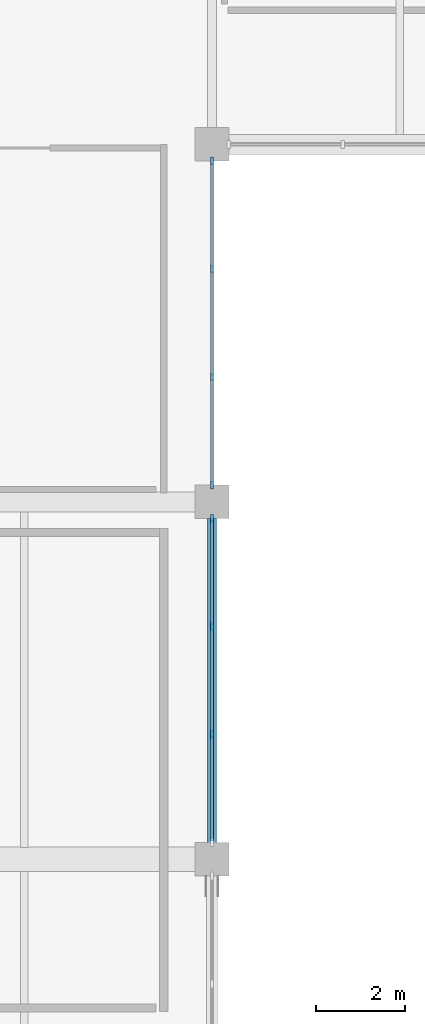
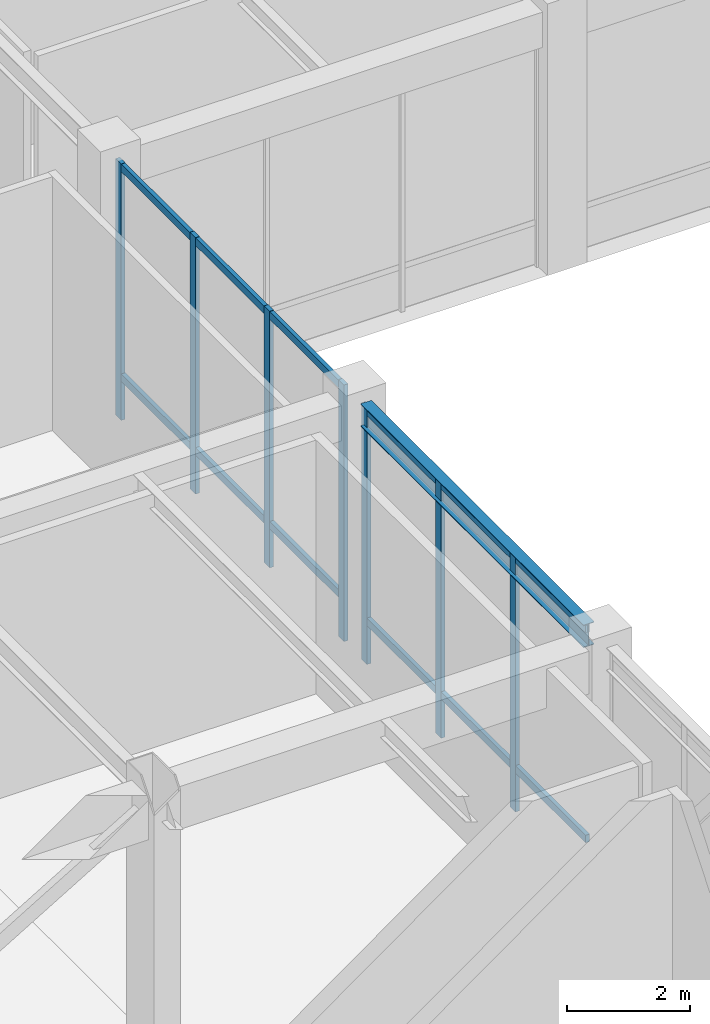
# One storey, part 28 of 79: 19 members, 1 beam, 2 elements without a shape of their own.
"""IFC4 building model written with IfcOpenShell, lengths in metres."""

from ifc_helpers import new_model, si_unit, direction, frame, origin, origin_2d, place, context, subcontext, project, spatial, rectangle, i_section, extrude, material, layer, layer_set, material_profile, profile_set, type_object, element, aggregate, save


model = new_model("IFC4")

# Units and contexts
model_context = context("Model", 3, precision=1e-05, world=origin(), true_north=direction((0.0, 1.0)))
body_context = subcontext(model_context, "Body", "Model", "MODEL_VIEW")
ifc_project = project(units=[si_unit("LENGTHUNIT", "METRE"), si_unit("AREAUNIT", "SQUARE_METRE"), si_unit("VOLUMEUNIT", "CUBIC_METRE"), si_unit("PLANEANGLEUNIT", "RADIAN"), si_unit("MASSUNIT", "GRAM", prefix="KILO")], contexts=[model_context])

# Site, building, storey
site_placement = place(None, origin())
site = spatial("IfcSite", under=ifc_project, at=site_placement, CompositionType="ELEMENT")
building_placement = place(site_placement, origin())
building = spatial("IfcBuilding", under=site, at=building_placement, Name="Naruveol Harbour Congress Hotel", CompositionType="ELEMENT")
storey_placement = place(building_placement, frame((0.0, 0.0, 6.0)))
storey = spatial("IfcBuildingStorey", under=building, at=storey_placement, Name="L01", CompositionType="ELEMENT", Elevation=6.0)

# Beam
ifc_material_1 = material(Name="Steel SN490", Category="steel")
ifc_material_profile_1 = material_profile(ifc_material_1, i_section(OverallWidth=0.199951171875, OverallDepth=0.449951171875, WebThickness=0.009033203125, FlangeThickness=0.013916015625, at=origin_2d()), Name="H-450x200x9x14")
ifc_profile_set_1 = profile_set([ifc_material_profile_1], Name="Steel SN490")
beam_type = type_object("IfcBeamType", Name="STEEL SPANDREL EDGE BEAM H450", PredefinedType="SPANDREL", material=ifc_profile_set_1)
beam_placement = place(storey_placement, frame((67.199951171875, 48.37109375, 4.925048828125), z_axis=(0.0, 1.0, 0.0), x_axis=(-1.0, 0.0, 0.0)))
element("IfcBeam", 1, at=beam_placement, inside=storey, type_object=beam_type, Name="Transverse girder L02 SPB2", PredefinedType="SPANDREL", context=body_context, shape_type="SweptSolid", body=[
    extrude(i_section(OverallWidth=0.199951171875, OverallDepth=0.449951171875, WebThickness=0.009033203125, FlangeThickness=0.013916015625, at=origin_2d()), origin(), (0.0, 0.0, 1.0), 7.2578125),
])

# Curtain wall, members
ifc_material_2 = material(Name="Low-E Curtain Wall System", Category="glass")
ifc_layer = layer(ifc_material_2, 0.179931640625)
ifc_layer_set = layer_set([ifc_layer], Name="Low-E Curtain Wall System")
curtain_wall_type = type_object("IfcCurtainWallType", Name="UNITISED CURTAIN WALL CW-CTW-36 7250X5100", PredefinedType="USERDEFINED", material=ifc_layer_set)
curtain_wall_1_placement = place(storey_placement, origin())
curtain_wall_1 = element("IfcCurtainWall", 2, at=curtain_wall_1_placement, inside=storey, type_object=curtain_wall_type, Name="Unitised curtain wall CW-CTW-36 L01", ObjectType="UNITISED GLAZING", PredefinedType="USERDEFINED")
ifc_material_3 = material(Name="Anodised Aluminium 6063-T6", Category="aluminium")
ifc_material_profile_2 = material_profile(ifc_material_3, rectangle(XDim=0.074951171875, YDim=0.179931640625, at=origin_2d()), Name="ALU-75x180")
ifc_profile_set_2 = profile_set([ifc_material_profile_2], Name="Anodised Aluminium 6063-T6")
member_type_1 = type_object("IfcMemberType", Name="THERMAL ALUMINIUM MULLION 75X180", PredefinedType="MULLION", material=ifc_profile_set_2)
member_1_placement = place(storey_placement, frame((67.199951171875, 50.791748046875, 0.0), z_axis=(0.0, 0.0, 1.0), x_axis=(1.0, 0.0, 0.0)))
member_1 = element("IfcMember", 3, at=member_1_placement, type_object=member_type_1, Name="Curtain wall mullion CW-L01-0092-M1", PredefinedType="MULLION", context=body_context, shape_type="SweptSolid", body=[
    extrude(rectangle(XDim=0.074951171875, YDim=0.179931640625, at=origin_2d()), origin(), (0.0, 0.0, 1.0), 5.10009765625),
])
member_2_placement = place(storey_placement, frame((67.199951171875, 53.208251953125, 0.0), z_axis=(0.0, 0.0, 1.0), x_axis=(1.0, 0.0, 0.0)))
member_2 = element("IfcMember", 4, at=member_2_placement, type_object=member_type_1, Name="Curtain wall mullion CW-L01-0092-M2", PredefinedType="MULLION", context=body_context, shape_type="SweptSolid", body=[
    extrude(rectangle(XDim=0.074951171875, YDim=0.179931640625, at=origin_2d()), origin(), (0.0, 0.0, 1.0), 5.10009765625),
])
member_3_placement = place(storey_placement, frame((67.199951171875, 55.625, 0.0), z_axis=(0.0, 0.0, 1.0), x_axis=(1.0, 0.0, 0.0)))
member_3 = element("IfcMember", 5, at=member_3_placement, type_object=member_type_1, Name="Curtain wall mullion CW-L01-0092-M3", PredefinedType="MULLION", context=body_context, shape_type="SweptSolid", body=[
    extrude(rectangle(XDim=0.074951171875, YDim=0.179931640625, at=origin_2d()), origin(), (0.0, 0.0, 1.0), 5.10009765625),
])

curtain_wall_2_placement = place(storey_placement, origin())
curtain_wall_2 = element("IfcCurtainWall", 6, at=curtain_wall_2_placement, inside=storey, type_object=curtain_wall_type, Name="Unitised curtain wall CW-CTW-36 L01", ObjectType="UNITISED GLAZING", PredefinedType="USERDEFINED")
member_4_placement = place(storey_placement, frame((67.199951171875, 56.375, 0.0), z_axis=(0.0, 0.0, 1.0), x_axis=(1.0, 0.0, 0.0)))
member_4 = element("IfcMember", 7, at=member_4_placement, type_object=member_type_1, Name="Curtain wall mullion CW-L01-0094-M0", PredefinedType="MULLION", context=body_context, shape_type="SweptSolid", body=[
    extrude(rectangle(XDim=0.074951171875, YDim=0.179931640625, at=origin_2d()), origin(), (0.0, 0.0, 1.0), 5.10009765625),
])
member_5_placement = place(storey_placement, frame((67.199951171875, 58.791748046875, 0.0), z_axis=(0.0, 0.0, 1.0), x_axis=(1.0, 0.0, 0.0)))
member_5 = element("IfcMember", 8, at=member_5_placement, type_object=member_type_1, Name="Curtain wall mullion CW-L01-0094-M1", PredefinedType="MULLION", context=body_context, shape_type="SweptSolid", body=[
    extrude(rectangle(XDim=0.074951171875, YDim=0.179931640625, at=origin_2d()), origin(), (0.0, 0.0, 1.0), 5.10009765625),
])
member_6_placement = place(storey_placement, frame((67.199951171875, 61.208251953125, 0.0), z_axis=(0.0, 0.0, 1.0), x_axis=(1.0, 0.0, 0.0)))
member_6 = element("IfcMember", 9, at=member_6_placement, type_object=member_type_1, Name="Curtain wall mullion CW-L01-0094-M2", PredefinedType="MULLION", context=body_context, shape_type="SweptSolid", body=[
    extrude(rectangle(XDim=0.074951171875, YDim=0.179931640625, at=origin_2d()), origin(), (0.0, 0.0, 1.0), 5.10009765625),
])
member_7_placement = place(storey_placement, frame((67.199951171875, 63.625, 0.0), z_axis=(0.0, 0.0, 1.0), x_axis=(1.0, 0.0, 0.0)))
member_7 = element("IfcMember", 10, at=member_7_placement, type_object=member_type_1, Name="Curtain wall mullion CW-L01-0094-M3", PredefinedType="MULLION", context=body_context, shape_type="SweptSolid", body=[
    extrude(rectangle(XDim=0.074951171875, YDim=0.179931640625, at=origin_2d()), origin(), (0.0, 0.0, 1.0), 5.10009765625),
])

# Member
ifc_material_4 = material(Name="Anodised Aluminium 6063-T6", Category="aluminium")
ifc_material_profile_3 = material_profile(ifc_material_4, rectangle(XDim=0.074951171875, YDim=0.14990234375, at=origin_2d()), Name="ALU-75x150")
ifc_profile_set_3 = profile_set([ifc_material_profile_3], Name="Anodised Aluminium 6063-T6")
member_type_2 = type_object("IfcMemberType", Name="THERMAL ALUMINIUM TRANSOM 75X150", PredefinedType="USERDEFINED", material=ifc_profile_set_3)
member_8_placement = place(storey_placement, frame((67.199951171875, 48.4150390625, 0.85009765625), z_axis=(0.0, 1.0, 0.0), x_axis=(-1.0, 0.0, 0.0)))
member_8 = element("IfcMember", 11, at=member_8_placement, type_object=member_type_2, Name="Curtain wall transom CW-L01-0092-T0.1", ObjectType="TRANSOM", PredefinedType="USERDEFINED", context=body_context, shape_type="SweptSolid", body=[
    extrude(rectangle(XDim=0.074951171875, YDim=0.14990234375, at=origin_2d()), origin(), (0.0, 0.0, 1.0), 2.336669921875),
])

member_9_placement = place(storey_placement, frame((67.199951171875, 48.4150390625, 5.02001953125), z_axis=(0.0, 1.0, 0.0), x_axis=(-1.0, 0.0, 0.0)))
member_9 = element("IfcMember", 12, at=member_9_placement, type_object=member_type_2, Name="Curtain wall transom CW-L01-0092-T0.2", ObjectType="TRANSOM", PredefinedType="USERDEFINED", context=body_context, shape_type="SweptSolid", body=[
    extrude(rectangle(XDim=0.074951171875, YDim=0.14990234375, at=origin_2d()), origin(), (0.0, 0.0, 1.0), 2.336669921875),
])

member_10_placement = place(storey_placement, frame((67.199951171875, 50.831787109375, 0.85009765625), z_axis=(0.0, 1.0, 0.0), x_axis=(-1.0, 0.0, 0.0)))
member_10 = element("IfcMember", 13, at=member_10_placement, type_object=member_type_2, Name="Curtain wall transom CW-L01-0092-T1.1", ObjectType="TRANSOM", PredefinedType="USERDEFINED", context=body_context, shape_type="SweptSolid", body=[
    extrude(rectangle(XDim=0.074951171875, YDim=0.14990234375, at=origin_2d()), origin(), (0.0, 0.0, 1.0), 2.33642578125),
])

member_11_placement = place(storey_placement, frame((67.199951171875, 50.831787109375, 5.02001953125), z_axis=(0.0, 1.0, 0.0), x_axis=(-1.0, 0.0, 0.0)))
member_11 = element("IfcMember", 14, at=member_11_placement, type_object=member_type_2, Name="Curtain wall transom CW-L01-0092-T1.2", ObjectType="TRANSOM", PredefinedType="USERDEFINED", context=body_context, shape_type="SweptSolid", body=[
    extrude(rectangle(XDim=0.074951171875, YDim=0.14990234375, at=origin_2d()), origin(), (0.0, 0.0, 1.0), 2.33642578125),
])

member_12_placement = place(storey_placement, frame((67.199951171875, 53.248291015625, 0.85009765625), z_axis=(0.0, 1.0, 0.0), x_axis=(-1.0, 0.0, 0.0)))
member_12 = element("IfcMember", 15, at=member_12_placement, type_object=member_type_2, Name="Curtain wall transom CW-L01-0092-T2.1", ObjectType="TRANSOM", PredefinedType="USERDEFINED", context=body_context, shape_type="SweptSolid", body=[
    extrude(rectangle(XDim=0.074951171875, YDim=0.14990234375, at=origin_2d()), origin(), (0.0, 0.0, 1.0), 2.336669921875),
])

member_13_placement = place(storey_placement, frame((67.199951171875, 53.248291015625, 5.02001953125), z_axis=(0.0, 1.0, 0.0), x_axis=(-1.0, 0.0, 0.0)))
member_13 = element("IfcMember", 16, at=member_13_placement, type_object=member_type_2, Name="Curtain wall transom CW-L01-0092-T2.2", ObjectType="TRANSOM", PredefinedType="USERDEFINED", context=body_context, shape_type="SweptSolid", body=[
    extrude(rectangle(XDim=0.074951171875, YDim=0.14990234375, at=origin_2d()), origin(), (0.0, 0.0, 1.0), 2.336669921875),
])

aggregate(curtain_wall_1, [member_1, member_2, member_3, member_8, member_9, member_10, member_11, member_12, member_13])

member_14_placement = place(storey_placement, frame((67.199951171875, 56.4150390625, 0.85009765625), z_axis=(0.0, 1.0, 0.0), x_axis=(-1.0, 0.0, 0.0)))
member_14 = element("IfcMember", 17, at=member_14_placement, type_object=member_type_2, Name="Curtain wall transom CW-L01-0094-T0.1", ObjectType="TRANSOM", PredefinedType="USERDEFINED", context=body_context, shape_type="SweptSolid", body=[
    extrude(rectangle(XDim=0.074951171875, YDim=0.14990234375, at=origin_2d()), origin(), (0.0, 0.0, 1.0), 2.336669921875),
])

member_15_placement = place(storey_placement, frame((67.199951171875, 56.4150390625, 5.02001953125), z_axis=(0.0, 1.0, 0.0), x_axis=(-1.0, 0.0, 0.0)))
member_15 = element("IfcMember", 18, at=member_15_placement, type_object=member_type_2, Name="Curtain wall transom CW-L01-0094-T0.2", ObjectType="TRANSOM", PredefinedType="USERDEFINED", context=body_context, shape_type="SweptSolid", body=[
    extrude(rectangle(XDim=0.074951171875, YDim=0.14990234375, at=origin_2d()), origin(), (0.0, 0.0, 1.0), 2.336669921875),
])

member_16_placement = place(storey_placement, frame((67.199951171875, 58.831787109375, 0.85009765625), z_axis=(0.0, 1.0, 0.0), x_axis=(-1.0, 0.0, 0.0)))
member_16 = element("IfcMember", 19, at=member_16_placement, type_object=member_type_2, Name="Curtain wall transom CW-L01-0094-T1.1", ObjectType="TRANSOM", PredefinedType="USERDEFINED", context=body_context, shape_type="SweptSolid", body=[
    extrude(rectangle(XDim=0.074951171875, YDim=0.14990234375, at=origin_2d()), origin(), (0.0, 0.0, 1.0), 2.33642578125),
])

member_17_placement = place(storey_placement, frame((67.199951171875, 58.831787109375, 5.02001953125), z_axis=(0.0, 1.0, 0.0), x_axis=(-1.0, 0.0, 0.0)))
member_17 = element("IfcMember", 20, at=member_17_placement, type_object=member_type_2, Name="Curtain wall transom CW-L01-0094-T1.2", ObjectType="TRANSOM", PredefinedType="USERDEFINED", context=body_context, shape_type="SweptSolid", body=[
    extrude(rectangle(XDim=0.074951171875, YDim=0.14990234375, at=origin_2d()), origin(), (0.0, 0.0, 1.0), 2.33642578125),
])

member_18_placement = place(storey_placement, frame((67.199951171875, 61.248291015625, 0.85009765625), z_axis=(0.0, 1.0, 0.0), x_axis=(-1.0, 0.0, 0.0)))
member_18 = element("IfcMember", 21, at=member_18_placement, type_object=member_type_2, Name="Curtain wall transom CW-L01-0094-T2.1", ObjectType="TRANSOM", PredefinedType="USERDEFINED", context=body_context, shape_type="SweptSolid", body=[
    extrude(rectangle(XDim=0.074951171875, YDim=0.14990234375, at=origin_2d()), origin(), (0.0, 0.0, 1.0), 2.336669921875),
])

member_19_placement = place(storey_placement, frame((67.199951171875, 61.248291015625, 5.02001953125), z_axis=(0.0, 1.0, 0.0), x_axis=(-1.0, 0.0, 0.0)))
member_19 = element("IfcMember", 22, at=member_19_placement, type_object=member_type_2, Name="Curtain wall transom CW-L01-0094-T2.2", ObjectType="TRANSOM", PredefinedType="USERDEFINED", context=body_context, shape_type="SweptSolid", body=[
    extrude(rectangle(XDim=0.074951171875, YDim=0.14990234375, at=origin_2d()), origin(), (0.0, 0.0, 1.0), 2.336669921875),
])

aggregate(curtain_wall_2, [member_4, member_5, member_6, member_7, member_14, member_15, member_16, member_17, member_18, member_19])

save(model, "model.ifc")
